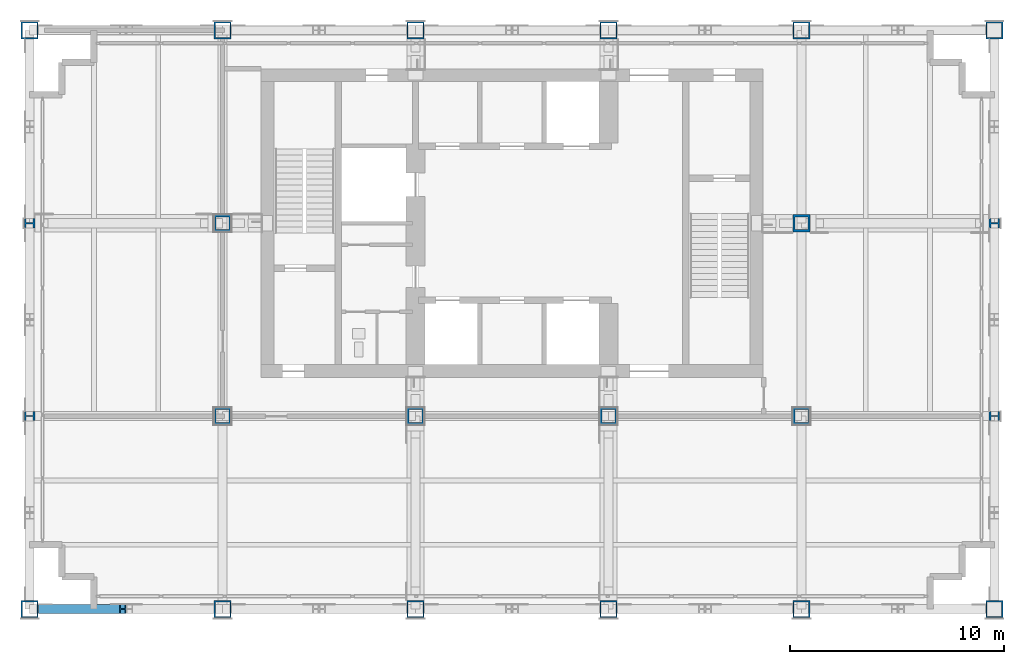
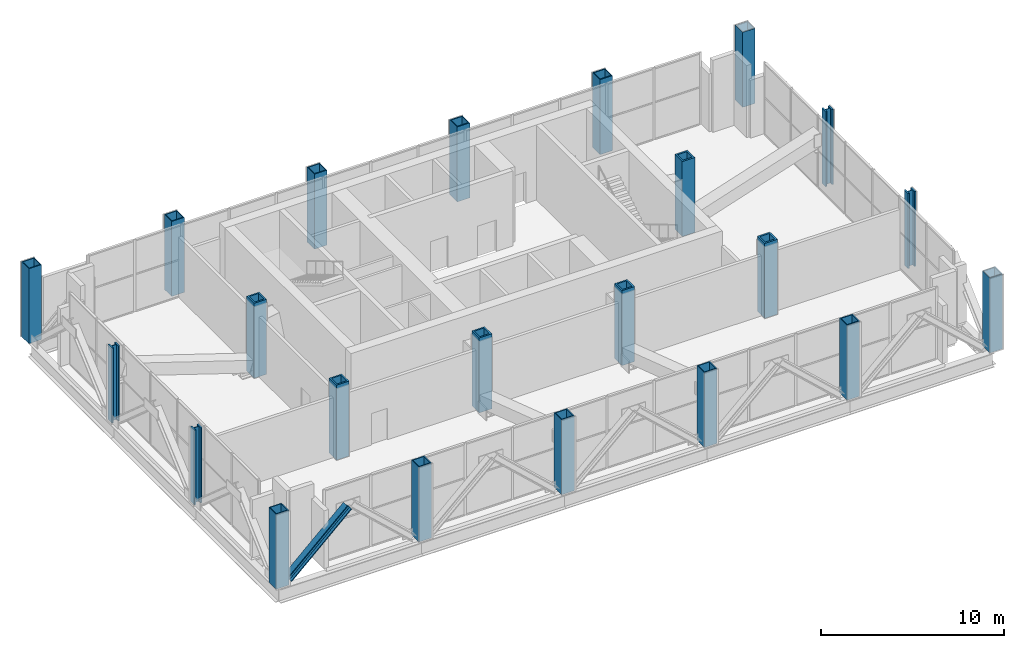
# One storey, part 1 of 13: 22 columns, 1 member.
"""IFC4 building model written with IfcOpenShell, lengths in metres."""

from ifc_helpers import new_model, si_unit, direction, frame, origin, origin_2d, place, context, subcontext, project, spatial, hollow_rectangle, i_section, extrude, material, material_profile, profile_set, type_object, element, save


model = new_model("IFC4")

# Units and contexts
model_context = context("Model", 3, precision=1e-05, world=origin(), true_north=direction((0.0, 1.0)))
body_context = subcontext(model_context, "Body", "Model", "MODEL_VIEW")
ifc_project = project(units=[si_unit("LENGTHUNIT", "METRE"), si_unit("AREAUNIT", "SQUARE_METRE"), si_unit("VOLUMEUNIT", "CUBIC_METRE"), si_unit("PLANEANGLEUNIT", "RADIAN"), si_unit("MASSUNIT", "GRAM", prefix="KILO")], contexts=[model_context])

# Site, building, storey
site_placement = place(None, origin())
site = spatial("IfcSite", under=ifc_project, at=site_placement, CompositionType="ELEMENT")
building_placement = place(site_placement, origin())
building = spatial("IfcBuilding", under=site, at=building_placement, Name="Loomwork Tower", CompositionType="ELEMENT")
storey_placement = place(building_placement, frame((0.0, 0.0, 221.60009765625)))
storey = spatial("IfcBuildingStorey", under=building, at=storey_placement, Name="L61", CompositionType="ELEMENT", Elevation=221.60009765625)

# Columns
ifc_material_1 = material(Name="Steel ASTM A572 Grade 50 plate", Category="steel")
ifc_material_profile_1 = material_profile(ifc_material_1, hollow_rectangle(XDim=0.800048828125, YDim=0.800048828125, WallThickness=0.06005859375, at=origin_2d()), Name="BOX800x60")
ifc_profile_set_1 = profile_set([ifc_material_profile_1], Name="Steel ASTM A572 Grade 50 plate")
column_type_1 = type_object("IfcColumnType", Name="EXOSKELETON PIER BOX800x60", PredefinedType="COLUMN", material=ifc_profile_set_1)
for number, where, z_axis, x_axis, name in (
    (1, (0.0, 0.0, 0.0), (0.0, 0.0, 1.0), (1.0, 0.0, 0.0), "Exoskeleton Pier D/2 L61"),
    (2, (0.0, 27.0, 0.0), (0.0, 0.0, 1.0), (0.0, 1.0, 0.0), "Exoskeleton Pier G/2 L61"),
    (3, (9.0, 0.0, 0.0), (0.0, 0.0, 1.0), (1.0, 0.0, 0.0), "Exoskeleton Pier D/3 L61"),
    (4, (9.0, 27.0, 0.0), (0.0, 0.0, 1.0), (1.0, 0.0, 0.0), "Exoskeleton Pier G/3 L61"),
    (5, (18.0, 0.0, 0.0), (0.0, 0.0, 1.0), (1.0, 0.0, 0.0), "Exoskeleton Pier D/4 L61"),
    (6, (18.0, 27.0, 0.0), (0.0, 0.0, 1.0), (1.0, 0.0, 0.0), "Exoskeleton Pier G/4 L61"),
    (7, (27.0, 0.0, 0.0), (0.0, 0.0, 1.0), (1.0, 0.0, 0.0), "Exoskeleton Pier D/5 L61"),
    (8, (27.0, 27.0, 0.0), (0.0, 0.0, 1.0), (1.0, 0.0, 0.0), "Exoskeleton Pier G/5 L61"),
    (9, (36.0, 0.0, 0.0), (0.0, 0.0, 1.0), (1.0, 0.0, 0.0), "Exoskeleton Pier D/6 L61"),
    (10, (36.0, 27.0, 0.0), (0.0, 0.0, 1.0), (1.0, 0.0, 0.0), "Exoskeleton Pier G/6 L61"),
    (11, (45.0, 0.0, 0.0), (0.0, 0.0, 1.0), (1.0, 0.0, 0.0), "Exoskeleton Pier D/7 L61"),
    (12, (45.0, 27.0, 0.0), (0.0, 0.0, 1.0), (0.0, 1.0, 0.0), "Exoskeleton Pier G/7 L61"),
):
    element("IfcColumn", number, at=place(storey_placement, frame(where, z_axis=z_axis, x_axis=x_axis)), inside=storey, type_object=column_type_1, Name=name, PredefinedType="COLUMN", context=body_context, shape_type="SweptSolid", body=[
        extrude(hollow_rectangle(XDim=0.800048828125, YDim=0.800048828125, WallThickness=0.06005859375, at=origin_2d()), origin(), (0.0, 0.0, 1.0), 5.0),
    ])
ifc_material_2 = material(Name="Steel ASTM A992", Category="steel")
ifc_material_profile_2 = material_profile(ifc_material_2, i_section(OverallWidth=0.4267578125, OverallDepth=0.482666015625, WebThickness=0.05126953125, FlangeThickness=0.08154296875, at=origin_2d()), Name="W14x455")
ifc_profile_set_2 = profile_set([ifc_material_profile_2], Name="Steel ASTM A992")
column_type_2 = type_object("IfcColumnType", Name="EXOSKELETON PIER W14x455", PredefinedType="COLUMN", material=ifc_profile_set_2)
for number, where, z_axis, x_axis, name in (
    (13, (0.0, 9.0, 0.0), (0.0, 0.0, 1.0), (0.0, 1.0, 0.0), "Exoskeleton Pier E/2 L61"),
    (14, (0.0, 18.0, 0.0), (0.0, 0.0, 1.0), (0.0, 1.0, 0.0), "Exoskeleton Pier F/2 L61"),
    (15, (45.0, 9.0, 0.0), (0.0, 0.0, 1.0), (0.0, 1.0, 0.0), "Exoskeleton Pier E/7 L61"),
    (16, (45.0, 18.0, 0.0), (0.0, 0.0, 1.0), (0.0, 1.0, 0.0), "Exoskeleton Pier F/7 L61"),
):
    element("IfcColumn", number, at=place(storey_placement, frame(where, z_axis=z_axis, x_axis=x_axis)), inside=storey, type_object=column_type_2, Name=name, PredefinedType="COLUMN", context=body_context, shape_type="SweptSolid", body=[
        extrude(i_section(OverallWidth=0.4267578125, OverallDepth=0.482666015625, WebThickness=0.05126953125, FlangeThickness=0.08154296875, at=origin_2d()), origin(), (0.0, 0.0, 1.0), 5.0),
    ])
ifc_material_3 = material(Name="Steel ASTM A572 Grade 50 plate", Category="steel")
ifc_material_profile_3 = material_profile(ifc_material_3, hollow_rectangle(XDim=0.800048828125, YDim=0.800048828125, WallThickness=0.10009765625, at=origin_2d()), Name="BOX800x100")
ifc_profile_set_3 = profile_set([ifc_material_profile_3], Name="Steel ASTM A572 Grade 50 plate")
column_type_3 = type_object("IfcColumnType", Name="TOWER COLUMN BOX800x100", PredefinedType="COLUMN", material=ifc_profile_set_3)
for number, where, z_axis, x_axis, name in (
    (17, (9.0, 9.0, 0.0), (0.0, 0.0, 1.0), (1.0, 0.0, 0.0), "Tower Column E/3 L61"),
    (18, (9.0, 18.0, 0.0), (0.0, 0.0, 1.0), (1.0, 0.0, 0.0), "Tower Column F/3 L61"),
    (19, (18.0, 9.0, 0.0), (0.0, 0.0, 1.0), (1.0, 0.0, 0.0), "Tower Column E/4 L61"),
    (20, (27.0, 9.0, 0.0), (0.0, 0.0, 1.0), (1.0, 0.0, 0.0), "Tower Column E/5 L61"),
    (21, (36.0, 9.0, 0.0), (0.0, 0.0, 1.0), (0.0, 1.0, 0.0), "Tower Column E/6 L61"),
    (22, (36.0, 18.0, 0.0), (0.0, 0.0, 1.0), (0.0, 1.0, 0.0), "Tower Column F/6 L61"),
):
    element("IfcColumn", number, at=place(storey_placement, frame(where, z_axis=z_axis, x_axis=x_axis)), inside=storey, type_object=column_type_3, Name=name, PredefinedType="COLUMN", context=body_context, shape_type="SweptSolid", body=[
        extrude(hollow_rectangle(XDim=0.800048828125, YDim=0.800048828125, WallThickness=0.10009765625, at=origin_2d()), origin(), (0.0, 0.0, 1.0), 5.0),
    ])

# Member
ifc_material_4 = material(Name="Steel ASTM A992", Category="steel")
ifc_material_profile_4 = material_profile(ifc_material_4, i_section(OverallWidth=0.411376953125, OverallDepth=0.434326171875, WebThickness=0.035888671875, FlangeThickness=0.057373046875, at=origin_2d()), Name="W14x311")
ifc_profile_set_4 = profile_set([ifc_material_profile_4], Name="Steel ASTM A992")
member_type = type_object("IfcMemberType", Name="BELT TRUSS DIAGONAL W14x311", PredefinedType="BRACE", material=ifc_profile_set_4)
member_placement = place(storey_placement, frame((0.5576171875, 0.0, 0.169189453125), z_axis=(0.732985346521, 0.0, 0.680244427971), x_axis=(0.0, 1.0, 0.0)))
element("IfcMember", 23, at=member_placement, inside=storey, type_object=member_type, Name="Belt truss diagonal D/2-D/3 L61", PredefinedType="BRACE", context=body_context, shape_type="SweptSolid", body=[
    extrude(i_section(OverallWidth=0.411376953125, OverallDepth=0.434326171875, WebThickness=0.035888671875, FlangeThickness=0.057373046875, at=origin_2d()), origin(), (0.0, 0.0, 1.0), 5.166015625),
])

save(model, "model.ifc")
